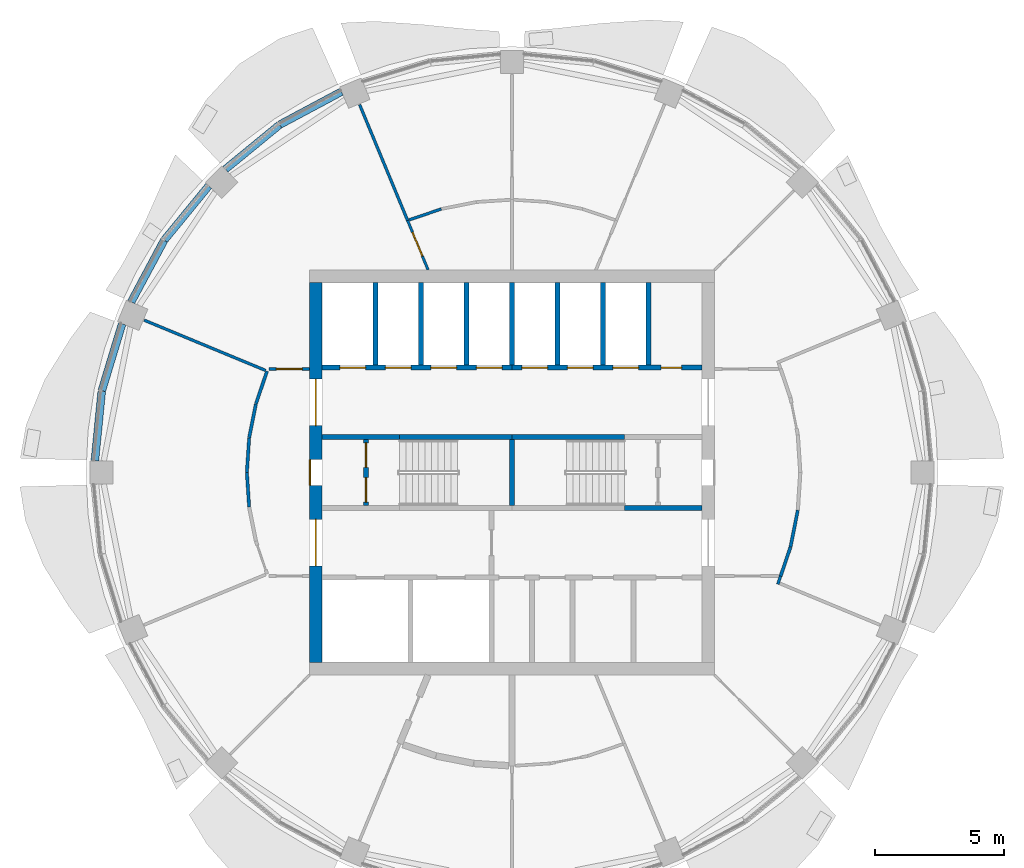
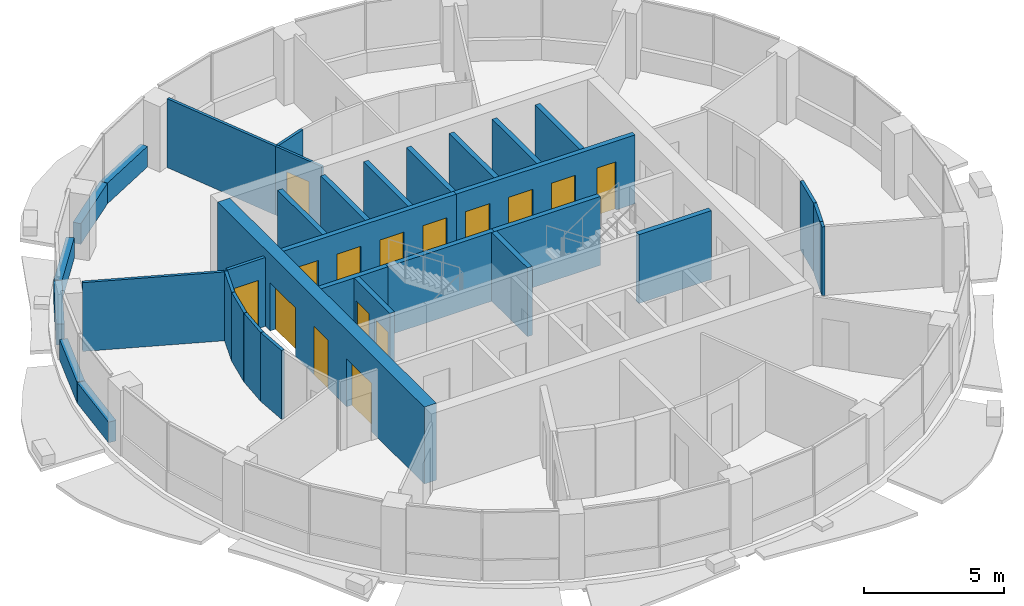
# One storey, part 9 of 15: 34 walls, 15 doors, 15 openings.
"""IFC4 building model written with IfcOpenShell, lengths in metres."""

import ifcopenshell
import ifcopenshell.guid

model = None  # the IFC model being written
_history = None  # IfcOwnerHistory: only IFC2X3 demands one
_inside = {}  # id of a spatial element -> (the spatial element, [elements in it])
_under = {}  # id of a project, library or spatial element -> (it, [spatial elements below it])
_declared = {}  # id of a project -> (the project, [libraries it declares])
_typed = {}  # id of a type object -> (the type object, [elements of that type])
_made_of = {}  # id of a material, layer set ... -> (it, [elements and type objects made of it])


def new_model(schema):
    """Start an empty IFC model of exactly this schema.

    Asked for "IFC4X3", IfcOpenShell would pick the latest addendum, in which some entities
    have other attributes; the version numbers below select the first issue.
    IFC2X3 requires an IfcOwnerHistory on every rooted entity: one is made here for all.
    """
    global model, _history
    if schema == "IFC4X3":
        model = ifcopenshell.file(schema_version=(4, 3, 0, 0))
    else:
        model = ifcopenshell.file(schema=schema)
    _inside.clear()
    _under.clear()
    _declared.clear()
    _typed.clear()
    _made_of.clear()
    _history = None
    if model.schema == "IFC2X3":
        org = make("IfcOrganization", Name="unknown")
        user = make(
            "IfcPersonAndOrganization",
            ThePerson=make("IfcPerson", FamilyName="unknown"),
            TheOrganization=org,
        )
        app = make(
            "IfcApplication",
            ApplicationDeveloper=org,
            Version="unknown",
            ApplicationFullName="unknown",
            ApplicationIdentifier="unknown",
        )
        _history = make(
            "IfcOwnerHistory",
            OwningUser=user,
            OwningApplication=app,
            ChangeAction="ADDED",
            CreationDate=0,
        )
    return model


def make(cls, **values):
    """One entity of the class cls with the attributes given. An attribute that is None is left unset."""
    return model.create_entity(
        cls, **{name: value for name, value in values.items() if value is not None}
    )


def rooted(cls, **values):
    """An entity with a GlobalId (a new one), such as an element, a storey or a relation."""
    return make(cls, GlobalId=ifcopenshell.guid.new(), OwnerHistory=_history, **values)


def si_unit(unit_type, name, prefix=None):
    """IfcSIUnit, for example si_unit("LENGTHUNIT", "METRE", prefix="MILLI")."""
    return make("IfcSIUnit", UnitType=unit_type, Prefix=prefix, Name=name)


def assignment(units):
    """IfcUnitAssignment: the units of a project."""
    return None if units is None else make("IfcUnitAssignment", Units=units)


def point(xyz):
    """IfcCartesianPoint."""
    return None if xyz is None else make("IfcCartesianPoint", Coordinates=xyz)


def direction(xyz):
    """IfcDirection."""
    return None if xyz is None else make("IfcDirection", DirectionRatios=xyz)


def frame(location, z_axis=None, x_axis=None):
    """IfcAxis2Placement3D, a coordinate frame: its origin and axes. An axis left out is left unset."""
    return make(
        "IfcAxis2Placement3D",
        Location=point(location),
        Axis=direction(z_axis),
        RefDirection=direction(x_axis),
    )


def frame_2d(location, x_axis=None):
    """IfcAxis2Placement2D, a coordinate frame in the plane: its origin and x axis."""
    return make(
        "IfcAxis2Placement2D", Location=point(location), RefDirection=direction(x_axis)
    )


def origin():
    """The frame at (0, 0, 0) with its axes left unset."""
    return frame((0.0, 0.0, 0.0))


def place(relative_to, where):
    """IfcLocalPlacement: puts the frame where relative to a parent placement (None: the world)."""
    return make(
        "IfcLocalPlacement", PlacementRelTo=relative_to, RelativePlacement=where
    )


def context(
    kind, dimensions, precision=None, world=None, true_north=None, identifier=None
):
    """IfcGeometricRepresentationContext, for example the 3D "Model" context."""
    return make(
        "IfcGeometricRepresentationContext",
        ContextIdentifier=identifier,
        ContextType=kind,
        CoordinateSpaceDimension=dimensions,
        Precision=precision,
        WorldCoordinateSystem=world,
        TrueNorth=true_north,
    )


def subcontext(parent, identifier, kind, view, scale=None):
    """IfcGeometricRepresentationSubContext, for example "Body" below "Model"."""
    return make(
        "IfcGeometricRepresentationSubContext",
        ContextIdentifier=identifier,
        ContextType=kind,
        ParentContext=parent,
        TargetScale=scale,
        TargetView=view,
    )


def project(units=None, contexts=None):
    """IfcProject with its units and contexts."""
    return rooted(
        "IfcProject",
        Name="project",
        RepresentationContexts=contexts,
        UnitsInContext=assignment(units),
    )


def spatial(cls, under=None, at=None, **own):
    """A site, building, storey or space (cls), placed at a placement, below another one or the project."""
    s = rooted(cls, ObjectPlacement=at, **own)
    if under is not None:
        _under.setdefault(under.id(), (under, []))[1].append(s)
    return s


def profile(cls, at=None, kind="AREA", **sizes):
    """A parametric profile (cls). Its sizes go by their IFC names, for example OverallWidth=200.0."""
    return make(cls, ProfileType=kind, Position=at, **sizes)


def rectangle(**sizes):
    """IfcRectangleProfileDef."""
    return profile("IfcRectangleProfileDef", **sizes)


def extrude(swept, where, along, depth):
    """IfcExtrudedAreaSolid: the profile swept, set in the frame where, extruded along a direction by depth."""
    return make(
        "IfcExtrudedAreaSolid",
        SweptArea=swept,
        Position=where,
        ExtrudedDirection=direction(along),
        Depth=depth,
    )


def shape(context_of_items, identifier, shape_type, items):
    """IfcShapeRepresentation: the items that make up one representation, for example the "Body"."""
    return make(
        "IfcShapeRepresentation",
        ContextOfItems=context_of_items,
        RepresentationIdentifier=identifier,
        RepresentationType=shape_type,
        Items=items,
    )


def material(Name=None, Category=None):
    """IfcMaterial."""
    return make("IfcMaterial", Name=Name, Category=Category)


def layer(
    of_material, thickness, ventilated=None, Name=None, Category=None, Priority=None
):
    """IfcMaterialLayer: one layer of a wall or slab, of a material (None: an air gap)."""
    return make(
        "IfcMaterialLayer",
        Material=of_material,
        LayerThickness=thickness,
        IsVentilated=ventilated,
        Name=Name,
        Category=Category,
        Priority=Priority,
    )


def layer_set(layers, Name=None):
    """IfcMaterialLayerSet."""
    return make("IfcMaterialLayerSet", MaterialLayers=layers, LayerSetName=Name)


def made_of(thing, what):
    """Note that an element or type object is made of a material, layer set ...; save() writes the relation."""
    if what is not None:
        _made_of.setdefault(what.id(), (what, []))[1].append(thing)
    return thing


def type_object(cls, material=None, **own):
    """A type object (cls), such as IfcWallType, which elements share."""
    return made_of(rooted(cls, **own), material)


def element(
    cls,
    number,
    at=None,
    inside=None,
    cuts=None,
    type_object=None,
    material=None,
    context=None,
    identifier="Body",
    shape_type=None,
    held_by="IfcProductDefinitionShape",
    body=None,
    shapes=None,
    **own,
):
    """One element of the class cls, such as IfcWall. Its Tag is "e" and its number.

    at: its placement. inside: the storey or other place that contains it. cuts: it is an
    opening in that element (IfcRelVoidsElement). A single representation is given by context,
    identifier, shape_type and body (its items); several are given by shapes. held_by: the class
    of the entity that holds the representations. save() writes the other relations.
    """
    e = rooted(cls, Tag="e%d" % number, ObjectPlacement=at, **own)
    if body is not None:
        shapes = [shape(context, identifier, shape_type, body)]
    if shapes is not None:
        e.Representation = make(held_by, Representations=shapes)
    if inside is not None:
        _inside.setdefault(inside.id(), (inside, []))[1].append(e)
    if cuts is not None:
        rooted(
            "IfcRelVoidsElement", RelatingBuildingElement=cuts, RelatedOpeningElement=e
        )
    if type_object is not None:
        _typed.setdefault(type_object.id(), (type_object, []))[1].append(e)
    return made_of(e, material)


def fill(opening, filler):
    """IfcRelFillsElement: the door or window that sits in an opening."""
    return rooted(
        "IfcRelFillsElement",
        RelatingOpeningElement=opening,
        RelatedBuildingElement=filler,
    )


def aggregate(whole, parts):
    """IfcRelAggregates: a whole, such as a stair, and the parts it consists of."""
    return rooted("IfcRelAggregates", RelatingObject=whole, RelatedObjects=parts)


def save(model, path):
    """Write the relations noted so far, then the file.

    IfcRelAggregates (storeys below a building ...), IfcRelContainedInSpatialStructure (elements
    in a storey), IfcRelDefinesByType, IfcRelAssociatesMaterial and IfcRelDeclares: one each for
    every whole, place, type object, material and project.
    """
    for whole, parts in _under.values():
        aggregate(whole, parts)
    for where, things in _inside.values():
        rooted(
            "IfcRelContainedInSpatialStructure",
            RelatedElements=things,
            RelatingStructure=where,
        )
    for kind, things in _typed.values():
        rooted("IfcRelDefinesByType", RelatedObjects=things, RelatingType=kind)
    for what, things in _made_of.values():
        rooted("IfcRelAssociatesMaterial", RelatedObjects=things, RelatingMaterial=what)
    for by, libraries in _declared.values():
        rooted("IfcRelDeclares", RelatingContext=by, RelatedDefinitions=libraries)
    model.write(path)


model = new_model("IFC4")

# Units and contexts
model_context = context("Model", 3, precision=1e-05, world=origin(), true_north=direction((0.0, 1.0)))
body_context = subcontext(model_context, "Body", "Model", "MODEL_VIEW")
ifc_project = project(units=[si_unit("LENGTHUNIT", "METRE"), si_unit("AREAUNIT", "SQUARE_METRE"), si_unit("VOLUMEUNIT", "CUBIC_METRE"), si_unit("PLANEANGLEUNIT", "RADIAN"), si_unit("MASSUNIT", "GRAM", prefix="KILO")], contexts=[model_context])

# Site, building, storey
site_placement = place(None, origin())
site = spatial("IfcSite", under=ifc_project, at=site_placement, CompositionType="ELEMENT")
building_placement = place(site_placement, origin())
building = spatial("IfcBuilding", under=site, at=building_placement, Name="Polderwave Tower", CompositionType="ELEMENT")
storey_placement = place(building_placement, frame((0.0, 0.0, 211.10009765625)))
storey = spatial("IfcBuildingStorey", under=building, at=storey_placement, Name="L57", CompositionType="ELEMENT", Elevation=211.10009765625)

# Wall, openings, doors
ifc_material_1 = material(Name="Concrete C60/75", Category="concrete")
ifc_layer_1 = layer(ifc_material_1, 0.5)
ifc_layer_set_1 = layer_set([ifc_layer_1], Name="CORE WALL 500 C60/75")
wall_type_1 = type_object("IfcWallType", Name="CORE WALL 500 C60/75", PredefinedType="SHEAR", material=ifc_layer_set_1)
wall_1_placement = place(storey_placement, frame((-7.6240234375, -7.3740234375, 0.0), z_axis=(0.0, 0.0, 1.0), x_axis=(0.0, 1.0, 0.0)))
wall_1 = element("IfcWall", 1, at=wall_1_placement, inside=storey, type_object=wall_type_1, Name="ST-CORE-L57-W", PredefinedType="SHEAR", context=body_context, shape_type="SweptSolid", body=[
    extrude(rectangle(XDim=14.748046875, YDim=0.5, at=frame_2d((7.3740234375, 0.0))), origin(), (0.0, 0.0, 1.0), 3.349853515625),
])
opening_1_placement = place(wall_1_placement, frame((6.8740234375, 0.0, 0.0)))
opening_1 = element("IfcOpeningElement", 2, at=opening_1_placement, cuts=wall_1, Name="Opening L57-D20", PredefinedType="OPENING", context=body_context, shape_type="SweptSolid", body=[
    extrude(rectangle(XDim=1.0, YDim=2.10009765625, at=frame_2d((0.5, 1.050048828125))), frame((0.0, 0.260009765625, 0.0), z_axis=(0.0, -1.0, 0.0), x_axis=(1.0, 0.0, 0.0)), (0.0, 0.0, 1.0), 0.52001953125),
])
opening_2_placement = place(wall_1_placement, frame((3.74951171875, 0.0, 0.0)))
opening_2 = element("IfcOpeningElement", 3, at=opening_2_placement, cuts=wall_1, Name="Opening L57-D21", PredefinedType="OPENING", context=body_context, shape_type="SweptSolid", body=[
    extrude(rectangle(XDim=1.800048828125, YDim=2.10009765625, at=frame_2d((0.89990234375, 1.050048828125))), frame((0.0, 0.260009765625, 0.0), z_axis=(0.0, -1.0, 0.0), x_axis=(1.0, 0.0, 0.0)), (0.0, 0.0, 1.0), 0.52001953125),
])
opening_3_placement = place(wall_1_placement, frame((9.198486328125, 0.0, 0.0)))
opening_3 = element("IfcOpeningElement", 4, at=opening_3_placement, cuts=wall_1, Name="Opening L57-D22", PredefinedType="OPENING", context=body_context, shape_type="SweptSolid", body=[
    extrude(rectangle(XDim=1.800048828125, YDim=2.10009765625, at=frame_2d((0.89990234375, 1.050048828125))), frame((0.0, 0.260009765625, 0.0), z_axis=(0.0, -1.0, 0.0), x_axis=(1.0, 0.0, 0.0)), (0.0, 0.0, 1.0), 0.52001953125),
])
ifc_material_2 = material(Name="Steel fire door", Category="steel")
door_type_1 = type_object("IfcDoorType", Name="Lobby entry door pair 1800", OperationType="DOUBLE_DOOR_SINGLE_SWING", PredefinedType="DOOR", material=ifc_material_2)
door_1_placement = place(opening_2_placement, origin())
door_1 = element("IfcDoor", 5, at=door_1_placement, inside=storey, type_object=door_type_1, Name="Fire-fighting lobby entry door", OperationType="DOUBLE_DOOR_SINGLE_SWING", OverallHeight=2.10009765625, OverallWidth=1.800048828125, PredefinedType="DOOR", context=body_context, shape_type="SweptSolid", body=[
    extrude(rectangle(XDim=1.800048828125, YDim=2.10009765625, at=frame_2d((0.89990234375, 1.050048828125))), frame((0.0, 0.02490234375, 0.0), z_axis=(0.0, -1.0, 0.0), x_axis=(1.0, 0.0, 0.0)), (0.0, 0.0, 1.0), 0.050048828125),
])
fill(opening_2, door_1)
door_2_placement = place(opening_3_placement, origin())
door_2 = element("IfcDoor", 6, at=door_2_placement, inside=storey, type_object=door_type_1, Name="North lobby entry door", OperationType="DOUBLE_DOOR_SINGLE_SWING", OverallHeight=2.10009765625, OverallWidth=1.800048828125, PredefinedType="DOOR", context=body_context, shape_type="SweptSolid", body=[
    extrude(rectangle(XDim=1.800048828125, YDim=2.10009765625, at=frame_2d((0.89990234375, 1.050048828125))), frame((0.0, 0.02490234375, 0.0), z_axis=(0.0, -1.0, 0.0), x_axis=(1.0, 0.0, 0.0)), (0.0, 0.0, 1.0), 0.050048828125),
])
fill(opening_3, door_2)
door_type_2 = type_object("IfcDoorType", Name="Stair door 1000", OperationType="NOTDEFINED", PredefinedType="DOOR", material=ifc_material_2)
door_3_placement = place(opening_1_placement, origin())
door_3 = element("IfcDoor", 7, at=door_3_placement, inside=storey, type_object=door_type_2, Name="Stair A entry door", OperationType="SINGLE_SWING_RIGHT", OverallHeight=2.10009765625, OverallWidth=1.0, PredefinedType="DOOR", context=body_context, shape_type="SweptSolid", body=[
    extrude(rectangle(XDim=1.0, YDim=2.10009765625, at=frame_2d((0.5, 1.050048828125))), frame((0.0, 0.25, 0.0), z_axis=(0.0, -1.0, 0.0), x_axis=(1.0, 0.0, 0.0)), (0.0, 0.0, 1.0), 0.050048828125),
])
fill(opening_1, door_3)

# Walls
ifc_material_3 = material(Name="Concrete C50/60 (board-marked)", Category="concrete")
ifc_layer_2 = layer(ifc_material_3, 0.300048828125)
ifc_layer_set_2 = layer_set([ifc_layer_2], Name="Concrete spandrel upstand C50/60")
wall_type_2 = type_object("IfcWallType", Name="Concrete spandrel upstand C50/60", PredefinedType="SOLIDWALL", material=ifc_layer_set_2)
for number, where, z_axis, x_axis, name in (
    (8, (-6.630126953125, 14.79296875, 0.0), (0.0, 0.0, 1.0), (-0.881887660835, -0.471459599189, 0.0), "Spandrel L57 6a"),
    (9, (-9.03955078125, 13.50146484375, 0.0), (0.0, 0.0, 1.0), (-0.773200498897, -0.634161642253, 0.0), "Spandrel L57 6b"),
    (10, (-11.78662109375, 11.13037109375, 0.0), (0.0, 0.0, 1.0), (-0.634161642253, -0.773200498897, 0.0), "Spandrel L57 7a"),
    (11, (-13.51806640625, 9.014892578125, 0.0), (0.0, 0.0, 1.0), (-0.471459599189, -0.881887660835, 0.0), "Spandrel L57 7b"),
):
    element("IfcWall", number, at=place(storey_placement, frame(where, z_axis=z_axis, x_axis=x_axis)), inside=storey, type_object=wall_type_2, Name=name, PredefinedType="SOLIDWALL", context=body_context, shape_type="SweptSolid", body=[
        extrude(rectangle(XDim=2.7041015625, YDim=0.300048828125, at=frame_2d((1.35205078125, 0.0))), origin(), (0.0, 0.0, 1.0), 0.89990234375),
    ])
wall_2_placement = place(storey_placement, frame((-15.1474609375, 5.772705078125, 0.0), z_axis=(0.0, 0.0, 1.0), x_axis=(-0.290608505958, -0.956842043529, 0.0)))
element("IfcWall", 12, at=wall_2_placement, inside=storey, type_object=wall_type_2, Name="Spandrel L57 8a", PredefinedType="SOLIDWALL", context=body_context, shape_type="SweptSolid", body=[
    extrude(rectangle(XDim=2.705078125, YDim=0.300048828125, at=frame_2d((1.3525390625, 0.0))), origin(), (0.0, 0.0, 1.0), 0.89990234375),
])
wall_3_placement = place(storey_placement, frame((-15.939453125, 3.155029296875, 0.0), z_axis=(0.0, 0.0, 1.0), x_axis=(-0.098046581117, -0.995181826568, 0.0)))
element("IfcWall", 13, at=wall_3_placement, inside=storey, type_object=wall_type_2, Name="Spandrel L57 8b", PredefinedType="SOLIDWALL", context=body_context, shape_type="SweptSolid", body=[
    extrude(rectangle(XDim=2.7041015625, YDim=0.300048828125, at=frame_2d((1.35205078125, 0.0))), origin(), (0.0, 0.0, 1.0), 0.89990234375),
])

# Wall, openings, doors
ifc_material_4 = material(Name="Gypsum board partition")
ifc_layer_3 = layer(ifc_material_4, 0.199951171875)
ifc_layer_set_3 = layer_set([ifc_layer_3], Name="Core room partition 200")
wall_type_3 = type_object("IfcWallType", Name="Core room partition 200", PredefinedType="PARTITIONING", material=ifc_layer_set_3)
wall_4_placement = place(storey_placement, frame((-5.674072265625, -1.27490234375, 0.0), z_axis=(0.0, 0.0, 1.0), x_axis=(0.0, 1.0, 0.0)))
wall_4 = element("IfcWall", 14, at=wall_4_placement, inside=storey, type_object=wall_type_3, Name="L57 smoke lobby wall A", PredefinedType="PARTITIONING", context=body_context, shape_type="SweptSolid", body=[
    extrude(rectangle(XDim=2.5498046875, YDim=0.199951171875, at=frame_2d((1.27490234375, 0.0))), origin(), (0.0, 0.0, 1.0), 3.0),
])
opening_4_placement = place(wall_4_placement, frame((0.125, 0.0, 0.0)))
opening_4 = element("IfcOpeningElement", 15, at=opening_4_placement, cuts=wall_4, Name="Opening L57-D10", PredefinedType="OPENING", context=body_context, shape_type="SweptSolid", body=[
    extrude(rectangle(XDim=0.949951171875, YDim=2.10009765625, at=frame_2d((0.47509765625, 1.050048828125))), frame((0.0, 0.10986328125, 0.0), z_axis=(0.0, -1.0, 0.0), x_axis=(1.0, 0.0, 0.0)), (0.0, 0.0, 1.0), 0.219970703125),
])
opening_5_placement = place(wall_4_placement, frame((1.47509765625, 0.0, 0.0)))
opening_5 = element("IfcOpeningElement", 16, at=opening_5_placement, cuts=wall_4, Name="Opening L57-D11", PredefinedType="OPENING", context=body_context, shape_type="SweptSolid", body=[
    extrude(rectangle(XDim=0.949951171875, YDim=2.10009765625, at=frame_2d((0.47509765625, 1.050048828125))), frame((0.0, 0.10986328125, 0.0), z_axis=(0.0, -1.0, 0.0), x_axis=(1.0, 0.0, 0.0)), (0.0, 0.0, 1.0), 0.219970703125),
])
door_type_3 = type_object("IfcDoorType", Name="Smoke lobby door 950", OperationType="NOTDEFINED", PredefinedType="DOOR", material=ifc_material_2)
door_4_placement = place(opening_4_placement, origin())
door_4 = element("IfcDoor", 17, at=door_4_placement, inside=storey, type_object=door_type_3, Name="Stair A smoke lobby inner door", OperationType="SINGLE_SWING_LEFT", OverallHeight=2.10009765625, OverallWidth=0.949951171875, PredefinedType="DOOR", context=body_context, shape_type="SweptSolid", body=[
    extrude(rectangle(XDim=0.949951171875, YDim=2.10009765625, at=frame_2d((0.47509765625, 1.050048828125))), frame((0.0, 0.02490234375, 0.0), z_axis=(0.0, -1.0, 0.0), x_axis=(1.0, 0.0, 0.0)), (0.0, 0.0, 1.0), 0.050048828125),
])
fill(opening_4, door_4)
door_5_placement = place(opening_5_placement, origin())
door_5 = element("IfcDoor", 18, at=door_5_placement, inside=storey, type_object=door_type_3, Name="Stair A smoke lobby inner door", OperationType="SINGLE_SWING_RIGHT", OverallHeight=2.10009765625, OverallWidth=0.949951171875, PredefinedType="DOOR", context=body_context, shape_type="SweptSolid", body=[
    extrude(rectangle(XDim=0.949951171875, YDim=2.10009765625, at=frame_2d((0.47509765625, 1.050048828125))), frame((0.0, 0.02490234375, 0.0), z_axis=(0.0, -1.0, 0.0), x_axis=(1.0, 0.0, 0.0)), (0.0, 0.0, 1.0), 0.050048828125),
])
fill(opening_5, door_5)

ifc_material_5 = material(Name="Concrete C50/60", Category="concrete")
ifc_layer_4 = layer(ifc_material_5, 0.199951171875)
ifc_layer_set_4 = layer_set([ifc_layer_4], Name="Core web wall 200")
wall_type_4 = type_object("IfcWallType", Name="Core web wall 200", PredefinedType="SHEAR", material=ifc_layer_set_4)
wall_5_placement = place(storey_placement, frame((-7.3740234375, 4.073974609375, 0.0), z_axis=(0.0, 0.0, 1.0), x_axis=(1.0, 0.0, 0.0)))
wall_5 = element("IfcWall", 19, at=wall_5_placement, inside=storey, type_object=wall_type_4, Name="L57 north front wall 1", PredefinedType="SHEAR", context=body_context, shape_type="SweptSolid", body=[
    extrude(rectangle(XDim=7.3740234375, YDim=0.199951171875, at=frame_2d((3.68701171875, 0.0))), origin(), (0.0, 0.0, 1.0), 3.0),
])
opening_6_placement = place(wall_5_placement, frame((0.68408203125, 0.0, 0.0)))
opening_6 = element("IfcOpeningElement", 20, at=opening_6_placement, cuts=wall_5, Name="Opening L57-D03", PredefinedType="OPENING", context=body_context, shape_type="SweptSolid", body=[
    extrude(rectangle(XDim=1.0, YDim=2.10009765625, at=frame_2d((0.5, 1.050048828125))), frame((0.0, 0.10986328125, 0.0), z_axis=(0.0, -1.0, 0.0), x_axis=(1.0, 0.0, 0.0)), (0.0, 0.0, 1.0), 0.219970703125),
])
opening_7_placement = place(wall_5_placement, frame((2.45263671875, 0.0, 0.0)))
opening_7 = element("IfcOpeningElement", 21, at=opening_7_placement, cuts=wall_5, Name="Opening L57-D04", PredefinedType="OPENING", context=body_context, shape_type="SweptSolid", body=[
    extrude(rectangle(XDim=1.0, YDim=2.10009765625, at=frame_2d((0.5, 1.050048828125))), frame((0.0, 0.10986328125, 0.0), z_axis=(0.0, -1.0, 0.0), x_axis=(1.0, 0.0, 0.0)), (0.0, 0.0, 1.0), 0.219970703125),
])
opening_8_placement = place(wall_5_placement, frame((4.22119140625, 0.0, 0.0)))
opening_8 = element("IfcOpeningElement", 22, at=opening_8_placement, cuts=wall_5, Name="Opening L57-D05", PredefinedType="OPENING", context=body_context, shape_type="SweptSolid", body=[
    extrude(rectangle(XDim=1.0, YDim=2.10009765625, at=frame_2d((0.5, 1.050048828125))), frame((0.0, 0.10986328125, 0.0), z_axis=(0.0, -1.0, 0.0), x_axis=(1.0, 0.0, 0.0)), (0.0, 0.0, 1.0), 0.219970703125),
])
opening_9_placement = place(wall_5_placement, frame((5.98974609375, 0.0, 0.0)))
opening_9 = element("IfcOpeningElement", 23, at=opening_9_placement, cuts=wall_5, Name="Opening L57-D06", PredefinedType="OPENING", context=body_context, shape_type="SweptSolid", body=[
    extrude(rectangle(XDim=1.0, YDim=2.10009765625, at=frame_2d((0.5, 1.050048828125))), frame((0.0, 0.10986328125, 0.0), z_axis=(0.0, -1.0, 0.0), x_axis=(1.0, 0.0, 0.0)), (0.0, 0.0, 1.0), 0.219970703125),
])
ifc_material_6 = material(Name="Stainless steel", Category="steel")
door_type_4 = type_object("IfcDoorType", Name="Lift landing door 1000", OperationType="DOUBLE_DOOR_SLIDING", PredefinedType="DOOR", material=ifc_material_6)
door_6_placement = place(opening_6_placement, frame((1.0, 0.0, 0.0), z_axis=(0.0, 0.0, 1.0), x_axis=(-1.0, 0.0, 0.0)))
door_6 = element("IfcDoor", 24, at=door_6_placement, inside=storey, type_object=door_type_4, Name="Lift HL1 landing door", OperationType="DOUBLE_DOOR_SLIDING", OverallHeight=2.10009765625, OverallWidth=1.0, PredefinedType="DOOR", context=body_context, shape_type="SweptSolid", body=[
    extrude(rectangle(XDim=1.0, YDim=2.10009765625, at=frame_2d((0.5, 1.050048828125))), frame((0.0, 0.02490234375, 0.0), z_axis=(0.0, -1.0, 0.0), x_axis=(1.0, 0.0, 0.0)), (0.0, 0.0, 1.0), 0.050048828125),
])
fill(opening_6, door_6)
door_7_placement = place(opening_7_placement, frame((1.0, 0.0, 0.0), z_axis=(0.0, 0.0, 1.0), x_axis=(-1.0, 0.0, 0.0)))
door_7 = element("IfcDoor", 25, at=door_7_placement, inside=storey, type_object=door_type_4, Name="Lift HL2 landing door", OperationType="DOUBLE_DOOR_SLIDING", OverallHeight=2.10009765625, OverallWidth=1.0, PredefinedType="DOOR", context=body_context, shape_type="SweptSolid", body=[
    extrude(rectangle(XDim=1.0, YDim=2.10009765625, at=frame_2d((0.5, 1.050048828125))), frame((0.0, 0.02490234375, 0.0), z_axis=(0.0, -1.0, 0.0), x_axis=(1.0, 0.0, 0.0)), (0.0, 0.0, 1.0), 0.050048828125),
])
fill(opening_7, door_7)
door_8_placement = place(opening_8_placement, frame((1.0, 0.0, 0.0), z_axis=(0.0, 0.0, 1.0), x_axis=(-1.0, 0.0, 0.0)))
door_8 = element("IfcDoor", 26, at=door_8_placement, inside=storey, type_object=door_type_4, Name="Lift HL3 landing door", OperationType="DOUBLE_DOOR_SLIDING", OverallHeight=2.10009765625, OverallWidth=1.0, PredefinedType="DOOR", context=body_context, shape_type="SweptSolid", body=[
    extrude(rectangle(XDim=1.0, YDim=2.10009765625, at=frame_2d((0.5, 1.050048828125))), frame((0.0, 0.02490234375, 0.0), z_axis=(0.0, -1.0, 0.0), x_axis=(1.0, 0.0, 0.0)), (0.0, 0.0, 1.0), 0.050048828125),
])
fill(opening_8, door_8)
door_9_placement = place(opening_9_placement, frame((1.0, 0.0, 0.0), z_axis=(0.0, 0.0, 1.0), x_axis=(-1.0, 0.0, 0.0)))
door_9 = element("IfcDoor", 27, at=door_9_placement, inside=storey, type_object=door_type_4, Name="Lift HL4 landing door", OperationType="DOUBLE_DOOR_SLIDING", OverallHeight=2.10009765625, OverallWidth=1.0, PredefinedType="DOOR", context=body_context, shape_type="SweptSolid", body=[
    extrude(rectangle(XDim=1.0, YDim=2.10009765625, at=frame_2d((0.5, 1.050048828125))), frame((0.0, 0.02490234375, 0.0), z_axis=(0.0, -1.0, 0.0), x_axis=(1.0, 0.0, 0.0)), (0.0, 0.0, 1.0), 0.050048828125),
])
fill(opening_9, door_9)

wall_6_placement = place(storey_placement, frame((0.0, 4.073974609375, 0.0), z_axis=(0.0, 0.0, 1.0), x_axis=(1.0, 0.0, 0.0)))
wall_6 = element("IfcWall", 28, at=wall_6_placement, inside=storey, type_object=wall_type_4, Name="L57 north front wall 2", PredefinedType="SHEAR", context=body_context, shape_type="SweptSolid", body=[
    extrude(rectangle(XDim=7.3740234375, YDim=0.199951171875, at=frame_2d((3.68701171875, 0.0))), origin(), (0.0, 0.0, 1.0), 3.0),
])
opening_10_placement = place(wall_6_placement, frame((0.38427734375, 0.0, 0.0)))
opening_10 = element("IfcOpeningElement", 29, at=opening_10_placement, cuts=wall_6, Name="Opening L57-D07", PredefinedType="OPENING", context=body_context, shape_type="SweptSolid", body=[
    extrude(rectangle(XDim=1.0, YDim=2.10009765625, at=frame_2d((0.5, 1.050048828125))), frame((0.0, 0.10986328125, 0.0), z_axis=(0.0, -1.0, 0.0), x_axis=(1.0, 0.0, 0.0)), (0.0, 0.0, 1.0), 0.219970703125),
])
opening_11_placement = place(wall_6_placement, frame((2.15283203125, 0.0, 0.0)))
opening_11 = element("IfcOpeningElement", 30, at=opening_11_placement, cuts=wall_6, Name="Opening L57-D08", PredefinedType="OPENING", context=body_context, shape_type="SweptSolid", body=[
    extrude(rectangle(XDim=1.0, YDim=2.10009765625, at=frame_2d((0.5, 1.050048828125))), frame((0.0, 0.10986328125, 0.0), z_axis=(0.0, -1.0, 0.0), x_axis=(1.0, 0.0, 0.0)), (0.0, 0.0, 1.0), 0.219970703125),
])
opening_12_placement = place(wall_6_placement, frame((3.921142578125, 0.0, 0.0)))
opening_12 = element("IfcOpeningElement", 31, at=opening_12_placement, cuts=wall_6, Name="Opening L57-D09", PredefinedType="OPENING", context=body_context, shape_type="SweptSolid", body=[
    extrude(rectangle(XDim=1.0, YDim=2.10009765625, at=frame_2d((0.5, 1.050048828125))), frame((0.0, 0.10986328125, 0.0), z_axis=(0.0, -1.0, 0.0), x_axis=(1.0, 0.0, 0.0)), (0.0, 0.0, 1.0), 0.219970703125),
])
opening_13_placement = place(wall_6_placement, frame((5.789794921875, 0.0, 0.0)))
opening_13 = element("IfcOpeningElement", 32, at=opening_13_placement, cuts=wall_6, Name="Opening L57-D19", PredefinedType="OPENING", context=body_context, shape_type="SweptSolid", body=[
    extrude(rectangle(XDim=0.800048828125, YDim=2.10009765625, at=frame_2d((0.39990234375, 1.050048828125))), frame((0.0, 0.10986328125, 0.0), z_axis=(0.0, -1.0, 0.0), x_axis=(1.0, 0.0, 0.0)), (0.0, 0.0, 1.0), 0.219970703125),
])
door_10_placement = place(opening_10_placement, frame((1.0, 0.0, 0.0), z_axis=(0.0, 0.0, 1.0), x_axis=(-1.0, 0.0, 0.0)))
door_10 = element("IfcDoor", 33, at=door_10_placement, inside=storey, type_object=door_type_4, Name="Lift HL5 landing door", OperationType="DOUBLE_DOOR_SLIDING", OverallHeight=2.10009765625, OverallWidth=1.0, PredefinedType="DOOR", context=body_context, shape_type="SweptSolid", body=[
    extrude(rectangle(XDim=1.0, YDim=2.10009765625, at=frame_2d((0.5, 1.050048828125))), frame((0.0, 0.02490234375, 0.0), z_axis=(0.0, -1.0, 0.0), x_axis=(1.0, 0.0, 0.0)), (0.0, 0.0, 1.0), 0.050048828125),
])
fill(opening_10, door_10)
door_11_placement = place(opening_11_placement, frame((1.0, 0.0, 0.0), z_axis=(0.0, 0.0, 1.0), x_axis=(-1.0, 0.0, 0.0)))
door_11 = element("IfcDoor", 34, at=door_11_placement, inside=storey, type_object=door_type_4, Name="Lift HL6 landing door", OperationType="DOUBLE_DOOR_SLIDING", OverallHeight=2.10009765625, OverallWidth=1.0, PredefinedType="DOOR", context=body_context, shape_type="SweptSolid", body=[
    extrude(rectangle(XDim=1.0, YDim=2.10009765625, at=frame_2d((0.5, 1.050048828125))), frame((0.0, 0.02490234375, 0.0), z_axis=(0.0, -1.0, 0.0), x_axis=(1.0, 0.0, 0.0)), (0.0, 0.0, 1.0), 0.050048828125),
])
fill(opening_11, door_11)
door_12_placement = place(opening_12_placement, frame((1.0, 0.0, 0.0), z_axis=(0.0, 0.0, 1.0), x_axis=(-1.0, 0.0, 0.0)))
door_12 = element("IfcDoor", 35, at=door_12_placement, inside=storey, type_object=door_type_4, Name="Lift HL7 landing door", OperationType="DOUBLE_DOOR_SLIDING", OverallHeight=2.10009765625, OverallWidth=1.0, PredefinedType="DOOR", context=body_context, shape_type="SweptSolid", body=[
    extrude(rectangle(XDim=1.0, YDim=2.10009765625, at=frame_2d((0.5, 1.050048828125))), frame((0.0, 0.02490234375, 0.0), z_axis=(0.0, -1.0, 0.0), x_axis=(1.0, 0.0, 0.0)), (0.0, 0.0, 1.0), 0.050048828125),
])
fill(opening_12, door_12)
door_type_5 = type_object("IfcDoorType", Name="Riser door 800", OperationType="NOTDEFINED", PredefinedType="DOOR", material=ifc_material_2)
door_13_placement = place(opening_13_placement, frame((0.800048828125, 0.0, 0.0), z_axis=(0.0, 0.0, 1.0), x_axis=(-1.0, 0.0, 0.0)))
door_13 = element("IfcDoor", 36, at=door_13_placement, inside=storey, type_object=door_type_5, Name="Riser door", OperationType="SINGLE_SWING_LEFT", OverallHeight=2.10009765625, OverallWidth=0.800048828125, PredefinedType="DOOR", context=body_context, shape_type="SweptSolid", body=[
    extrude(rectangle(XDim=0.800048828125, YDim=2.10009765625, at=frame_2d((0.39990234375, 1.050048828125))), frame((0.0, 0.02490234375, 0.0), z_axis=(0.0, -1.0, 0.0), x_axis=(1.0, 0.0, 0.0)), (0.0, 0.0, 1.0), 0.050048828125),
])
fill(opening_13, door_13)

# Walls
for number, where, z_axis, x_axis, name in (
    (37, (4.3740234375, -1.375, 0.0), (0.0, 0.0, 1.0), (1.0, 0.0, 0.0), "L57 south stair wall 4"),
    (38, (-7.3740234375, 1.375, 0.0), (0.0, 0.0, 1.0), (1.0, 0.0, 0.0), "L57 north stair wall 1"),
):
    element("IfcWall", number, at=place(storey_placement, frame(where, z_axis=z_axis, x_axis=x_axis)), inside=storey, type_object=wall_type_4, Name=name, PredefinedType="SHEAR", context=body_context, shape_type="SweptSolid", body=[
        extrude(rectangle(XDim=3.0, YDim=0.199951171875, at=frame_2d((1.5, 0.0))), origin(), (0.0, 0.0, 1.0), 3.0),
    ])
for number, where, z_axis, x_axis, name in (
    (39, (-4.3740234375, 1.375, 0.0), (0.0, 0.0, 1.0), (1.0, 0.0, 0.0), "L57 north stair wall 2"),
    (40, (0.0, 1.375, 0.0), (0.0, 0.0, 1.0), (1.0, 0.0, 0.0), "L57 north stair wall 3"),
):
    element("IfcWall", number, at=place(storey_placement, frame(where, z_axis=z_axis, x_axis=x_axis)), inside=storey, type_object=wall_type_4, Name=name, PredefinedType="SHEAR", context=body_context, shape_type="SweptSolid", body=[
        extrude(rectangle(XDim=4.3740234375, YDim=0.199951171875, at=frame_2d((2.18701171875, 0.0))), origin(), (0.0, 0.0, 1.0), 3.0),
    ])
wall_7_placement = place(storey_placement, frame((0.0, -1.27490234375, 0.0), z_axis=(0.0, 0.0, 1.0), x_axis=(0.0, 1.0, 0.0)))
element("IfcWall", 41, at=wall_7_placement, inside=storey, type_object=wall_type_4, Name="L57 wall between the stairs", PredefinedType="SHEAR", context=body_context, shape_type="SweptSolid", body=[
    extrude(rectangle(XDim=2.5498046875, YDim=0.199951171875, at=frame_2d((1.27490234375, 0.0))), origin(), (0.0, 0.0, 1.0), 3.0),
])
ifc_material_7 = material(Name="Fire-resisting board on steel studs", Category="steel")
ifc_layer_5 = layer(ifc_material_7, 0.125)
ifc_layer_set_5 = layer_set([ifc_layer_5], Name="Corridor wall 125 mm EI 60")
wall_type_5 = type_object("IfcWallType", Name="Corridor wall 125 mm EI 60", PredefinedType="PARTITIONING", material=ifc_layer_set_5)
wall_8_placement = place(storey_placement, frame((10.817138671875, -2.902587890625, 0.0), z_axis=(0.0, 0.0, 1.0), x_axis=(-0.321477840896, -0.94691710187, 0.0)))
element("IfcWall", 42, at=wall_8_placement, inside=storey, type_object=wall_type_5, Name="IN-L57-W002", PredefinedType="PARTITIONING", context=body_context, shape_type="SweptSolid", body=[
    extrude(rectangle(XDim=1.184814453125, YDim=0.125, at=frame_2d((0.59228515625, 0.0))), origin(), (0.0, 0.0, 1.0), 3.0),
])
wall_9_placement = place(storey_placement, frame((11.103515625, -1.4658203125, 0.0), z_axis=(0.0, 0.0, 1.0), x_axis=(-0.19521377649, -0.980760715704, 0.0)))
element("IfcWall", 43, at=wall_9_placement, inside=storey, type_object=wall_type_5, Name="IN-L57-W004", PredefinedType="PARTITIONING", context=body_context, shape_type="SweptSolid", body=[
    extrude(rectangle(XDim=1.45703125, YDim=0.125, at=frame_2d((0.728515625, 0.0))), origin(), (0.0, 0.0, 1.0), 3.0),
])

# Wall, opening, door
wall_10_placement = place(storey_placement, frame((-9.436279296875, 4.0244140625, 0.0), z_axis=(0.0, 0.0, 1.0), x_axis=(1.0, 0.0, 0.0)))
wall_10 = element("IfcWall", 44, at=wall_10_placement, inside=storey, type_object=wall_type_5, Name="IN-L57-W009", PredefinedType="PARTITIONING", context=body_context, shape_type="SweptSolid", body=[
    extrude(rectangle(XDim=1.562255859375, YDim=0.125, at=frame_2d((0.78125, 0.0))), origin(), (0.0, 0.0, 1.0), 3.0),
])
opening_14_placement = place(wall_10_placement, frame((0.281005859375, 0.0, 0.0)))
opening_14 = element("IfcOpeningElement", 45, at=opening_14_placement, cuts=wall_10, Name="Opening L57-D53", PredefinedType="OPENING", context=body_context, shape_type="SweptSolid", body=[
    extrude(rectangle(XDim=1.0, YDim=2.10009765625, at=frame_2d((0.5, 1.050048828125))), frame((0.0, 0.072509765625, 0.0), z_axis=(0.0, -1.0, 0.0), x_axis=(1.0, 0.0, 0.0)), (0.0, 0.0, 1.0), 0.14501953125),
])
ifc_material_8 = material(Name="Timber fire door leaf", Category="wood")
door_type_6 = type_object("IfcDoorType", Name="Fire door FD30S 1000 x 2100", OperationType="NOTDEFINED", PredefinedType="DOOR", material=ifc_material_8)
door_14_placement = place(opening_14_placement, origin())
door_14 = element("IfcDoor", 46, at=door_14_placement, inside=storey, type_object=door_type_6, Name="Door L57-D53", OperationType="SINGLE_SWING_LEFT", OverallHeight=2.10009765625, OverallWidth=1.0, PredefinedType="DOOR", context=body_context, shape_type="SweptSolid", body=[
    extrude(rectangle(XDim=1.0, YDim=2.10009765625, at=frame_2d((0.5, 1.050048828125))), frame((0.0, 0.02490234375, 0.0), z_axis=(0.0, -1.0, 0.0), x_axis=(1.0, 0.0, 0.0)), (0.0, 0.0, 1.0), 0.050048828125),
])
fill(opening_14, door_14)

# Walls
for number, where, z_axis, x_axis, name in (
    (47, (-10.2998046875, 0.004150390625, 0.0), (0.0, 0.0, 1.0), (0.065454075316, 0.99785558275, 0.0), "IN-L57-W010"),
    (48, (-10.212158203125, -1.34033203125, 0.0), (0.0, 0.0, 1.0), (-0.065454075316, 0.99785558275, 0.0), "IN-L57-W011"),
):
    element("IfcWall", number, at=place(storey_placement, frame(where, z_axis=z_axis, x_axis=x_axis)), inside=storey, type_object=wall_type_5, Name=name, PredefinedType="PARTITIONING", context=body_context, shape_type="SweptSolid", body=[
        extrude(rectangle(XDim=1.339111328125, YDim=0.125, at=frame_2d((0.66943359375, 0.0))), origin(), (0.0, 0.0, 1.0), 3.0),
    ])
wall_11_placement = place(storey_placement, frame((-10.211181640625, 1.348388671875, 0.0), z_axis=(0.0, 0.0, 1.0), x_axis=(0.195239630967, 0.980755569191, 0.0)))
element("IfcWall", 49, at=wall_11_placement, inside=storey, type_object=wall_type_5, Name="IN-L57-W012", PredefinedType="PARTITIONING", context=body_context, shape_type="SweptSolid", body=[
    extrude(rectangle(XDim=1.33935546875, YDim=0.125, at=frame_2d((0.669677734375, 0.0))), origin(), (0.0, 0.0, 1.0), 3.0),
])
wall_12_placement = place(storey_placement, frame((-9.94775390625, 2.669677734375, 0.0), z_axis=(0.0, 0.0, 1.0), x_axis=(0.321348735565, 0.946960923244, 0.0)))
element("IfcWall", 50, at=wall_12_placement, inside=storey, type_object=wall_type_5, Name="IN-L57-W014", PredefinedType="PARTITIONING", context=body_context, shape_type="SweptSolid", body=[
    extrude(rectangle(XDim=1.34326171875, YDim=0.125, at=frame_2d((0.671630859375, 0.0))), origin(), (0.0, 0.0, 1.0), 3.0),
])

# Wall, opening, door
ifc_material_9 = material(Name="Plasterboard on steel studs", Category="steel")
ifc_layer_6 = layer(ifc_material_9, 0.10009765625)
ifc_layer_set_6 = layer_set([ifc_layer_6], Name="Partition 100 mm plasterboard on steel studs")
wall_type_6 = type_object("IfcWallType", Name="Partition 100 mm plasterboard on steel studs", PredefinedType="PARTITIONING", material=ifc_layer_set_6)
wall_13_placement = place(storey_placement, frame((-4.056396484375, 9.793212890625, 0.0), z_axis=(0.0, 0.0, 1.0), x_axis=(0.382670108955, -0.923885051136, 0.0)))
wall_13 = element("IfcWall", 51, at=wall_13_placement, inside=storey, type_object=wall_type_6, Name="IN-L57-W032", PredefinedType="PARTITIONING", context=body_context, shape_type="SweptSolid", body=[
    extrude(rectangle(XDim=2.077392578125, YDim=0.10009765625, at=frame_2d((1.03857421875, 0.0))), origin(), (0.0, 0.0, 1.0), 3.0),
])
opening_15_placement = place(wall_13_placement, frame((0.5, 0.0, 0.0)))
opening_15 = element("IfcOpeningElement", 52, at=opening_15_placement, cuts=wall_13, Name="Opening L57-D60", PredefinedType="OPENING", context=body_context, shape_type="SweptSolid", body=[
    extrude(rectangle(XDim=1.0, YDim=2.10009765625, at=frame_2d((0.5, 1.050048828125))), frame((0.0, 0.06005859375, 0.0), z_axis=(0.0, -1.0, 0.0), x_axis=(1.0, 0.0, 0.0)), (0.0, 0.0, 1.0), 0.1201171875),
])
ifc_material_10 = material(Name="Timber veneer door leaf", Category="wood")
door_type_7 = type_object("IfcDoorType", Name="Single door 1000 x 2100", OperationType="NOTDEFINED", PredefinedType="DOOR", material=ifc_material_10)
door_15_placement = place(opening_15_placement, origin())
door_15 = element("IfcDoor", 53, at=door_15_placement, inside=storey, type_object=door_type_7, Name="Door L57-D60", OperationType="SINGLE_SWING_LEFT", OverallHeight=2.10009765625, OverallWidth=1.0, PredefinedType="DOOR", context=body_context, shape_type="SweptSolid", body=[
    extrude(rectangle(XDim=1.0, YDim=2.10009765625, at=frame_2d((0.5, 1.050048828125))), frame((0.0, 0.02490234375, 0.0), z_axis=(0.0, -1.0, 0.0), x_axis=(1.0, 0.0, 0.0)), (0.0, 0.0, 1.0), 0.050048828125),
])
fill(opening_15, door_15)

# Walls
ifc_material_11 = material(Name="Acoustic double plasterboard on steel studs", Category="steel")
ifc_layer_7 = layer(ifc_material_11, 0.110107421875)
ifc_layer_set_7 = layer_set([ifc_layer_7], Name="Partition 110 mm acoustic double board")
wall_type_7 = type_object("IfcWallType", Name="Partition 110 mm acoustic double board", PredefinedType="PARTITIONING", material=ifc_layer_set_7)
wall_14_placement = place(storey_placement, frame((10.329833984375, -4.338134765625, 0.0), z_axis=(0.0, 0.0, 1.0), x_axis=(0.321308145965, 0.946974696249, 0.0)))
element("IfcWall", 54, at=wall_14_placement, inside=storey, type_object=wall_type_7, Name="IN-L57-W019", PredefinedType="PARTITIONING", context=body_context, shape_type="SweptSolid", body=[
    extrude(rectangle(XDim=0.331298828125, YDim=0.110107421875, at=frame_2d((0.16552734375, 0.0))), origin(), (0.0, 0.0, 1.0), 3.0),
])
wall_15_placement = place(storey_placement, frame((-4.000732421875, 9.81201171875, 0.0), z_axis=(0.0, 0.0, 1.0), x_axis=(0.94695465551, 0.321367204936, 0.0)))
element("IfcWall", 55, at=wall_15_placement, inside=storey, type_object=wall_type_7, Name="IN-L57-W029", PredefinedType="PARTITIONING", context=body_context, shape_type="SweptSolid", body=[
    extrude(rectangle(XDim=1.32421875, YDim=0.110107421875, at=frame_2d((0.662109375, 0.0))), origin(), (0.0, 0.0, 1.0), 3.0),
])
wall_16_placement = place(storey_placement, frame((-4.056396484375, 9.793212890625, 0.0), z_axis=(0.0, 0.0, 1.0), x_axis=(-0.3827030411, 0.923871410064, 0.0)))
element("IfcWall", 56, at=wall_16_placement, inside=storey, type_object=wall_type_7, Name="IN-L57-W033", PredefinedType="PARTITIONING", context=body_context, shape_type="SweptSolid", body=[
    extrude(rectangle(XDim=4.8701171875, YDim=0.110107421875, at=frame_2d((2.43505859375, 0.0))), origin(), (0.0, 0.0, 1.0), 3.0),
])
wall_17_placement = place(storey_placement, frame((-9.5771484375, 3.967041015625, 0.0), z_axis=(0.0, 0.0, 1.0), x_axis=(-0.923881574534, 0.382678502448, 0.0)))
element("IfcWall", 57, at=wall_17_placement, inside=storey, type_object=wall_type_7, Name="IN-L57-W034", PredefinedType="PARTITIONING", context=body_context, shape_type="SweptSolid", body=[
    extrude(rectangle(XDim=5.103759765625, YDim=0.110107421875, at=frame_2d((2.5517578125, 0.0))), origin(), (0.0, 0.0, 1.0), 3.0),
])
ifc_material_12 = material(Name="Gypsum shaft wall system")
ifc_layer_8 = layer(ifc_material_12, 0.199951171875)
ifc_layer_set_8 = layer_set([ifc_layer_8], Name="Shaft wall 200")
wall_type_8 = type_object("IfcWallType", Name="Shaft wall 200", PredefinedType="PARTITIONING", material=ifc_layer_set_8)
for number, where, z_axis, x_axis, name in (
    (58, (-5.305419921875, 4.174072265625, 0.0), (0.0, 0.0, 1.0), (0.0, 1.0, 0.0), "L57 lift shaft wall N1"),
    (59, (-3.537109375, 4.174072265625, 0.0), (0.0, 0.0, 1.0), (0.0, 1.0, 0.0), "L57 lift shaft wall N2"),
    (60, (-1.7685546875, 4.174072265625, 0.0), (0.0, 0.0, 1.0), (0.0, 1.0, 0.0), "L57 lift shaft wall N3"),
    (61, (0.0, 4.174072265625, 0.0), (0.0, 0.0, 1.0), (0.0, 1.0, 0.0), "L57 lift shaft wall N4"),
    (62, (1.7685546875, 4.174072265625, 0.0), (0.0, 0.0, 1.0), (0.0, 1.0, 0.0), "L57 lift shaft wall N5"),
    (63, (3.537109375, 4.174072265625, 0.0), (0.0, 0.0, 1.0), (0.0, 1.0, 0.0), "L57 lift shaft wall N6"),
    (64, (5.305419921875, 4.174072265625, 0.0), (0.0, 0.0, 1.0), (0.0, 1.0, 0.0), "L57 lift shaft wall N7"),
):
    element("IfcWall", number, at=place(storey_placement, frame(where, z_axis=z_axis, x_axis=x_axis)), inside=storey, type_object=wall_type_8, Name=name, PredefinedType="PARTITIONING", context=body_context, shape_type="SweptSolid", body=[
        extrude(rectangle(XDim=3.199951171875, YDim=0.199951171875, at=frame_2d((1.60009765625, 0.0))), origin(), (0.0, 0.0, 1.0), 3.0),
    ])

save(model, "model.ifc")
